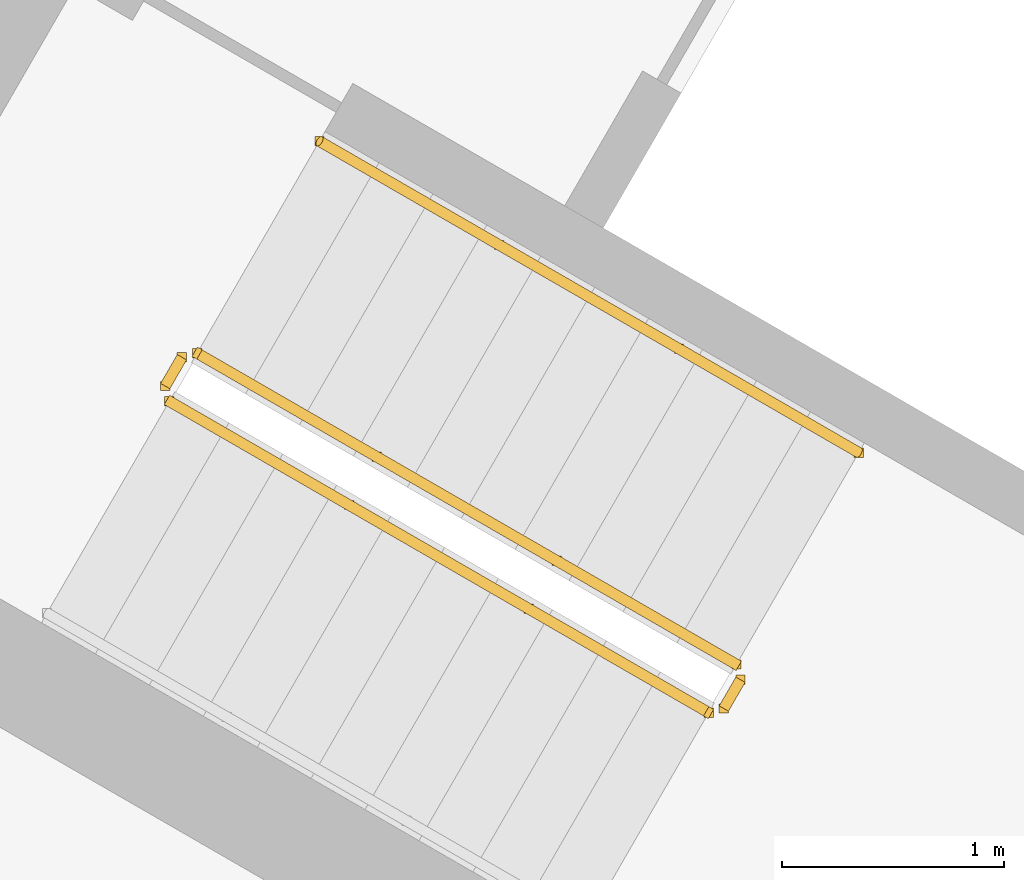
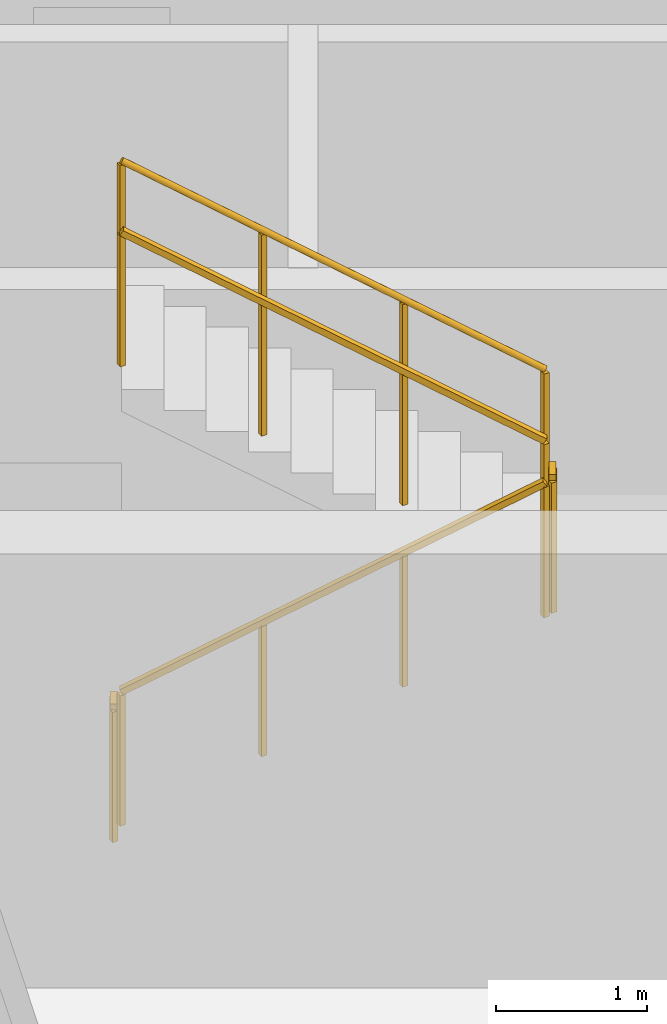
# One storey, part 12 of 14: 5 railings.
"""IFC4 building model written with IfcOpenShell, lengths in metres."""

from ifc_helpers import new_model, si_unit, direction, frame, origin, origin_2d, place, context, subcontext, project, spatial, rectangle, circle, extrude, material, type_object, element, save


model = new_model("IFC4")

# Units and contexts
model_context = context("Model", 3, precision=1e-05, world=origin(), true_north=direction((0.0, 1.0)))
body_context = subcontext(model_context, "Body", "Model", "MODEL_VIEW")
ifc_project = project(units=[si_unit("LENGTHUNIT", "METRE"), si_unit("AREAUNIT", "SQUARE_METRE"), si_unit("VOLUMEUNIT", "CUBIC_METRE"), si_unit("PLANEANGLEUNIT", "RADIAN"), si_unit("MASSUNIT", "GRAM", prefix="KILO")], contexts=[model_context])

# Site, building, storey
site_placement = place(None, origin())
site = spatial("IfcSite", under=ifc_project, at=site_placement, CompositionType="ELEMENT")
building_placement = place(site_placement, origin())
building = spatial("IfcBuilding", under=site, at=building_placement, Name="Apuvela Tower Hotel", CompositionType="ELEMENT")
storey_placement = place(building_placement, frame((0.0, 0.0, 224.300048828125)))
storey = spatial("IfcBuildingStorey", under=building, at=storey_placement, Name="L55", CompositionType="ELEMENT", Elevation=224.300048828125)

# Railings
ifc_material_1 = material(Name="Steel S275 balustrade", Category="steel")
railing_type_1 = type_object("IfcRailingType", Name="COR-GUARD-1100", PredefinedType="GUARDRAIL", material=ifc_material_1)
railing_1_placement = place(storey_placement, frame((10.718994140625, -10.63427734375, 0.168212890625)))
element("IfcRailing", 1, at=railing_1_placement, inside=storey, type_object=railing_type_1, Name="L55 ST3 stair guard 1", PredefinedType="GUARDRAIL", context=body_context, shape_type="SweptSolid", body=[
    extrude(rectangle(XDim=0.048095703125, YDim=0.048095703125, at=origin_2d()), frame((0.0, 0.0, 1.076171875), z_axis=(0.74241905619, -0.428617687091, 0.514879426), x_axis=(0.49998411664, 0.866034573852, 0.0)), (0.0, 0.0, 1.0), 3.26611328125),
    extrude(rectangle(XDim=0.0419921875, YDim=0.0419921875, at=origin_2d()), origin(), (0.0, 0.0, 1.0), 1.052001953125),
    extrude(rectangle(XDim=0.0419921875, YDim=0.0419921875, at=origin_2d()), frame((0.808349609375, -0.466552734375, 0.560546875)), (0.0, 0.0, 1.0), 1.052001953125),
    extrude(rectangle(XDim=0.0419921875, YDim=0.0419921875, at=origin_2d()), frame((1.616455078125, -0.933349609375, 1.12109375)), (0.0, 0.0, 1.0), 1.052001953125),
    extrude(rectangle(XDim=0.0419921875, YDim=0.0419921875, at=origin_2d()), frame((2.4248046875, -1.39990234375, 1.681640625)), (0.0, 0.0, 1.0), 1.052001953125),
])
railing_2_placement = place(storey_placement, frame((13.212158203125, -12.015869140625, 1.849853515625)))
element("IfcRailing", 2, at=railing_2_placement, inside=storey, type_object=railing_type_1, Name="L55 ST3 stair guard 2", PredefinedType="GUARDRAIL", context=body_context, shape_type="SweptSolid", body=[
    extrude(rectangle(XDim=0.048095703125, YDim=0.048095703125, at=origin_2d()), frame((0.0, 0.0, 1.076171875), z_axis=(0.499816412211, 0.866131372301, 0.0), x_axis=(-0.866131372301, 0.499816412211, 0.0)), (0.0, 0.0, 1.0), 0.14990234375),
    extrude(rectangle(XDim=0.0419921875, YDim=0.0419921875, at=origin_2d()), origin(), (0.0, 0.0, 1.0), 1.052001953125),
    extrude(rectangle(XDim=0.0419921875, YDim=0.0419921875, at=origin_2d()), frame((0.074951171875, 0.1298828125, 0.0)), (0.0, 0.0, 1.0), 1.052001953125),
])
railing_3_placement = place(storey_placement, frame((13.268798828125, -11.817626953125, 2.01806640625)))
element("IfcRailing", 3, at=railing_3_placement, inside=storey, type_object=railing_type_1, Name="L55 ST3 stair guard 3", PredefinedType="GUARDRAIL", context=body_context, shape_type="SweptSolid", body=[
    extrude(rectangle(XDim=0.048095703125, YDim=0.048095703125, at=origin_2d()), frame((0.0, 0.0, 1.076171875), z_axis=(-0.742390482028, 0.42860119049, 0.514934356695), x_axis=(-0.49998411664, -0.866034573852, 0.0)), (0.0, 0.0, 1.0), 3.26611328125),
    extrude(rectangle(XDim=0.0419921875, YDim=0.0419921875, at=origin_2d()), origin(), (0.0, 0.0, 1.0), 1.052001953125),
    extrude(rectangle(XDim=0.0419921875, YDim=0.0419921875, at=origin_2d()), frame((-0.808349609375, 0.466552734375, 0.560546875)), (0.0, 0.0, 1.0), 1.052001953125),
    extrude(rectangle(XDim=0.0419921875, YDim=0.0419921875, at=origin_2d()), frame((-1.616455078125, 0.933349609375, 1.121337890625)), (0.0, 0.0, 1.0), 1.052001953125),
    extrude(rectangle(XDim=0.0419921875, YDim=0.0419921875, at=origin_2d()), frame((-2.4248046875, 1.39990234375, 1.681884765625)), (0.0, 0.0, 1.0), 1.052001953125),
])
railing_4_placement = place(storey_placement, frame((10.70068359375, -10.56591796875, 0.0)))
element("IfcRailing", 4, at=railing_4_placement, inside=storey, type_object=railing_type_1, Name="L55 ST3 stair guard 4", PredefinedType="GUARDRAIL", context=body_context, shape_type="SweptSolid", body=[
    extrude(rectangle(XDim=0.048095703125, YDim=0.048095703125, at=origin_2d()), frame((0.0, 0.0, 1.076171875), z_axis=(0.499816412211, 0.866131372301, 0.0), x_axis=(-0.866131372301, 0.499816412211, 0.0)), (0.0, 0.0, 1.0), 0.14990234375),
    extrude(rectangle(XDim=0.0419921875, YDim=0.0419921875, at=origin_2d()), origin(), (0.0, 0.0, 1.0), 1.052001953125),
    extrude(rectangle(XDim=0.0419921875, YDim=0.0419921875, at=origin_2d()), frame((0.074951171875, 0.1298828125, 0.0)), (0.0, 0.0, 1.0), 1.052001953125),
])
ifc_material_2 = material(Name="Stainless steel 316 handrail", Category="steel")
railing_type_2 = type_object("IfcRailingType", Name="COR-HANDRAIL-900", PredefinedType="HANDRAIL", material=ifc_material_2)
railing_5_placement = place(storey_placement, frame((13.81884765625, -10.864990234375, 2.01806640625)))
element("IfcRailing", 5, at=railing_5_placement, inside=storey, type_object=railing_type_2, Name="L55 ST3 stair handrail 2", PredefinedType="HANDRAIL", context=body_context, shape_type="SweptSolid", body=[
    extrude(circle(Radius=0.02392578125, at=origin_2d()), frame((0.0, 0.0, 0.8759765625), z_axis=(-0.742390482028, 0.42860119049, 0.514934356695), x_axis=(-0.49998411664, -0.866034573852, 0.0)), (0.0, 0.0, 1.0), 3.26611328125),
    extrude(rectangle(XDim=0.0419921875, YDim=0.0419921875, at=origin_2d()), origin(), (0.0, 0.0, 1.0), 0.851806640625),
    extrude(rectangle(XDim=0.0419921875, YDim=0.0419921875, at=origin_2d()), frame((-0.808349609375, 0.466552734375, 0.560546875)), (0.0, 0.0, 1.0), 0.851806640625),
    extrude(rectangle(XDim=0.0419921875, YDim=0.0419921875, at=origin_2d()), frame((-1.616455078125, 0.933349609375, 1.121337890625)), (0.0, 0.0, 1.0), 0.851806640625),
    extrude(rectangle(XDim=0.0419921875, YDim=0.0419921875, at=origin_2d()), frame((-2.4248046875, 1.39990234375, 1.681884765625)), (0.0, 0.0, 1.0), 0.851806640625),
])

save(model, "model.ifc")
